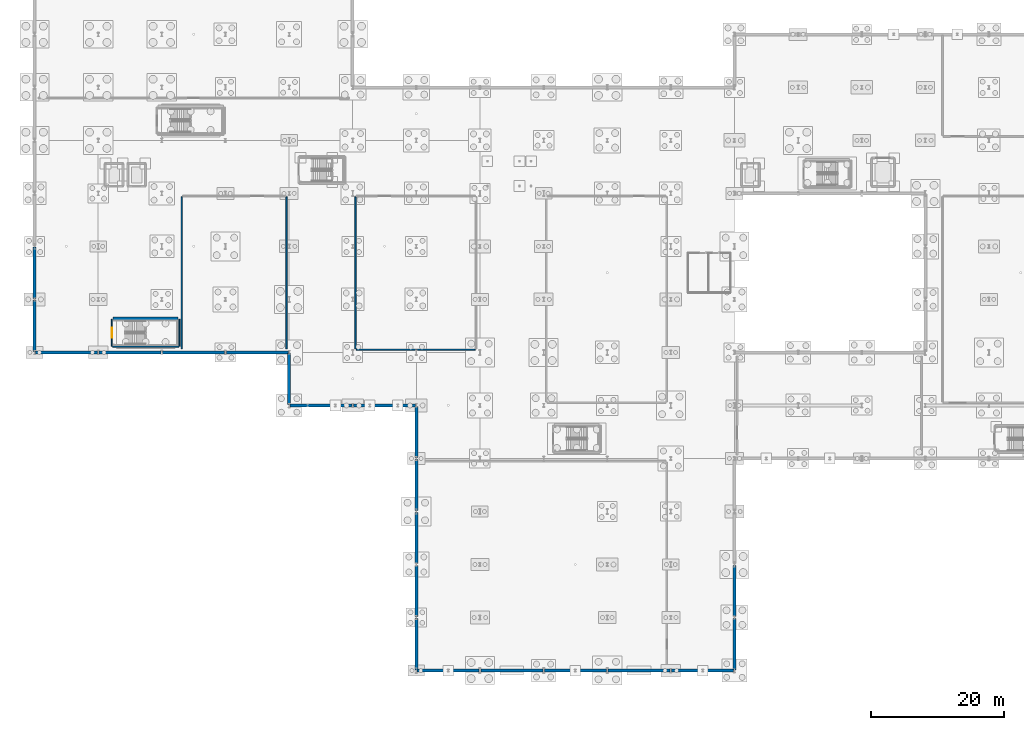
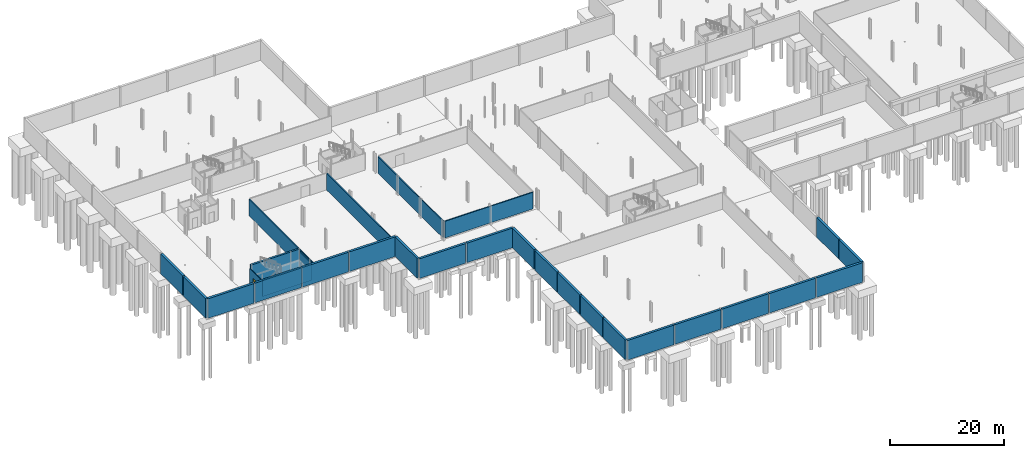
# One storey, part 36 of 47: 29 walls, 1 door, 1 opening.
"""IFC4 building model written with IfcOpenShell, lengths in metres."""

from ifc_helpers import new_model, si_unit, direction, frame, frame_2d, origin, place, context, subcontext, project, spatial, rectangle, extrude, material, layer, layer_set, type_object, element, fill, save


model = new_model("IFC4")

# Units and contexts
model_context = context("Model", 3, precision=1e-05, world=origin(), true_north=direction((0.0, 1.0)))
body_context = subcontext(model_context, "Body", "Model", "MODEL_VIEW")
ifc_project = project(units=[si_unit("LENGTHUNIT", "METRE"), si_unit("AREAUNIT", "SQUARE_METRE"), si_unit("VOLUMEUNIT", "CUBIC_METRE"), si_unit("PLANEANGLEUNIT", "RADIAN"), si_unit("MASSUNIT", "GRAM", prefix="KILO")], contexts=[model_context])

# Site, building, storey
site_placement = place(None, origin())
site = spatial("IfcSite", under=ifc_project, at=site_placement, CompositionType="ELEMENT")
building_placement = place(site_placement, origin())
building = spatial("IfcBuilding", under=site, at=building_placement, Name="Alderhovde Museum", CompositionType="ELEMENT")
storey_placement = place(building_placement, frame((0.0, 0.0, -4.5)))
storey = spatial("IfcBuildingStorey", under=building, at=storey_placement, Name="B1", CompositionType="ELEMENT", Elevation=-4.5)

# Walls
ifc_material_1 = material(Name="Fire-Resisting Masonry Compartment Wall", Category="masonry")
ifc_layer_1 = layer(ifc_material_1, 0.2099609375)
ifc_layer_set_1 = layer_set([ifc_layer_1], Name="Fire-Resisting Masonry Compartment Wall")
wall_type_1 = type_object("IfcWallType", Name="IW-FIRE-210", PredefinedType="SOLIDWALL", material=ifc_layer_set_1)
for number, where, z_axis, x_axis, name in (
    (1, (31.800048828125, 48.5400390625, 0.0), (0.0, 0.0, 1.0), (0.0, 1.0, 0.0), "B1 Collection Archive West Partition Wall W"),
    (2, (47.60009765625, 48.5400390625, 0.0), (0.0, 0.0, 1.0), (0.0, 1.0, 0.0), "B1 Collection Archive West Partition Wall E"),
):
    element("IfcWall", number, at=place(storey_placement, frame(where, z_axis=z_axis, x_axis=x_axis)), inside=storey, type_object=wall_type_1, Name=name, PredefinedType="SOLIDWALL", context=body_context, shape_type="SweptSolid", body=[
        extrude(rectangle(XDim=22.919921875, YDim=0.2099609375, at=frame_2d((11.4599609375, 0.0))), origin(), (0.0, 0.0, 1.0), 3.580078125),
    ])
wall_1_placement = place(storey_placement, frame((58.139892578125, 48.39990234375, 0.0), z_axis=(0.0, 0.0, 1.0), x_axis=(1.0, 0.0, 0.0)))
element("IfcWall", 3, at=wall_1_placement, inside=storey, type_object=wall_type_1, Name="B1 Mineralogy Specimen Vault Partition Wall S", PredefinedType="SOLIDWALL", context=body_context, shape_type="SweptSolid", body=[
    extrude(rectangle(XDim=17.920166015625, YDim=0.2099609375, at=frame_2d((8.9599609375, 0.0))), origin(), (0.0, 0.0, 1.0), 3.580078125),
])
wall_2_placement = place(storey_placement, frame((58.0, 48.5400390625, 0.0), z_axis=(0.0, 0.0, 1.0), x_axis=(0.0, 1.0, 0.0)))
element("IfcWall", 4, at=wall_2_placement, inside=storey, type_object=wall_type_1, Name="B1 Mineralogy Specimen Vault Partition Wall W", PredefinedType="SOLIDWALL", context=body_context, shape_type="SweptSolid", body=[
    extrude(rectangle(XDim=22.919921875, YDim=0.2099609375, at=frame_2d((11.4599609375, 0.0))), origin(), (0.0, 0.0, 1.0), 3.580078125),
])

# Wall, opening, door
ifc_material_2 = material(Name="Fire-Resisting Stair Lobby Wall")
ifc_layer_2 = layer(ifc_material_2, 0.169921875)
ifc_layer_set_2 = layer_set([ifc_layer_2], Name="Fire-Resisting Stair Lobby Wall")
wall_type_2 = type_object("IfcWallType", Name="IW-STAIR-170", PredefinedType="SOLIDWALL", material=ifc_layer_set_2)
wall_3_placement = place(storey_placement, frame((21.260009765625, 48.9599609375, 0.0), z_axis=(0.0, 0.0, 1.0), x_axis=(0.0, 1.0, 0.0)))
wall_3 = element("IfcWall", 5, at=wall_3_placement, inside=storey, type_object=wall_type_2, Name="B1 Escape Stair ST1 Fire Wall W", PredefinedType="SOLIDWALL", context=body_context, shape_type="SweptSolid", body=[
    extrude(rectangle(XDim=4.0400390625, YDim=0.169921875, at=frame_2d((2.02001953125, 0.0))), origin(), (0.0, 0.0, 1.0), 3.580078125),
])
opening_placement = place(wall_3_placement, frame((1.27001953125, 0.0, 0.0)))
opening = element("IfcOpeningElement", 6, at=opening_placement, cuts=wall_3, Name="Opening FD-1", PredefinedType="OPENING", context=body_context, shape_type="SweptSolid", body=[
    extrude(rectangle(XDim=1.5, YDim=2.199951171875, at=frame_2d((0.75, 1.10009765625))), frame((0.0, 0.094970703125, 0.0), z_axis=(0.0, -1.0, 0.0), x_axis=(1.0, 0.0, 0.0)), (0.0, 0.0, 1.0), 0.18994140625),
])
ifc_material_3 = material(Name="Fire-Rated Steel Stair Escape Door (Steel/Oak)", Category="steel")
door_type = type_object("IfcDoorType", Name="FD-STAIR-1500x2200", OperationType="NOTDEFINED", PredefinedType="DOOR", material=ifc_material_3)
door_placement = place(opening_placement, origin())
door = element("IfcDoor", 7, at=door_placement, inside=storey, type_object=door_type, Name="B1 Escape Stair ST1 Fire Door", OperationType="SINGLE_SWING_LEFT", OverallHeight=2.199951171875, OverallWidth=1.5, PredefinedType="DOOR", context=body_context, shape_type="SweptSolid", body=[
    extrude(rectangle(XDim=1.5, YDim=2.199951171875, at=frame_2d((0.75, 1.10009765625))), frame((0.0, 0.02490234375, 0.0), z_axis=(0.0, -1.0, 0.0), x_axis=(1.0, 0.0, 0.0)), (0.0, 0.0, 1.0), 0.050048828125),
])
fill(opening, door)

# Walls
wall_4_placement = place(storey_placement, frame((31.4599609375, 48.9599609375, 0.0), z_axis=(0.0, 0.0, 1.0), x_axis=(0.0, 1.0, 0.0)))
element("IfcWall", 8, at=wall_4_placement, inside=storey, type_object=wall_type_2, Name="B1 Escape Stair ST1 Fire Wall E", PredefinedType="SOLIDWALL", context=body_context, shape_type="SweptSolid", body=[
    extrude(rectangle(XDim=4.0400390625, YDim=0.169921875, at=frame_2d((2.02001953125, 0.0))), origin(), (0.0, 0.0, 1.0), 3.580078125),
])
wall_5_placement = place(storey_placement, frame((21.360107421875, 48.860107421875, 0.0), z_axis=(0.0, 0.0, 1.0), x_axis=(1.0, 0.0, 0.0)))
element("IfcWall", 9, at=wall_5_placement, inside=storey, type_object=wall_type_2, Name="B1 Escape Stair ST1 Fire Wall S", PredefinedType="SOLIDWALL", context=body_context, shape_type="SweptSolid", body=[
    extrude(rectangle(XDim=10.0, YDim=0.169921875, at=frame_2d((5.0, 0.0))), origin(), (0.0, 0.0, 1.0), 3.580078125),
])
ifc_material_4 = material(Name="Concrete C40/50", Category="concrete")
ifc_layer_3 = layer(ifc_material_4, 0.3798828125)
ifc_layer_set_3 = layer_set([ifc_layer_3], Name="Concrete C40/50")
wall_type_3 = type_object("IfcWallType", Name="SW-CORE-380", PredefinedType="SHEAR", material=ifc_layer_set_3)
wall_6_placement = place(storey_placement, frame((21.449951171875, 53.1201171875, 0.0), z_axis=(0.0, 0.0, 1.0), x_axis=(1.0, 0.0, 0.0)))
element("IfcWall", 10, at=wall_6_placement, inside=storey, type_object=wall_type_3, Name="B1 Core Concrete Shear Wall ST1", PredefinedType="SHEAR", context=body_context, shape_type="SweptSolid", body=[
    extrude(rectangle(XDim=9.820068359375, YDim=0.3798828125, at=frame_2d((4.91015625, 0.0))), origin(), (0.0, 0.0, 1.0), 4.219970703125),
])
ifc_material_5 = material(Name="Concrete C40/50", Category="concrete")
ifc_layer_4 = layer(ifc_material_5, 0.449951171875)
ifc_layer_set_4 = layer_set([ifc_layer_4], Name="Concrete C40/50")
wall_type_4 = type_object("IfcWallType", Name="SW-RET-450", PredefinedType="SHEAR", material=ifc_layer_set_4)
for number, where, z_axis, x_axis, name in (
    (11, (9.60009765625, 48.1201171875, 0.0), (0.0, 0.0, 1.0), (0.0, 1.0, 0.0), "B1 Concrete Perimeter Retaining Wall 1"),
    (12, (9.60009765625, 56.1201171875, 0.0), (0.0, 0.0, 1.0), (0.0, 1.0, 0.0), "B1 Concrete Perimeter Retaining Wall 2"),
    (13, (115.199951171875, 0.1201171875, 0.0), (0.0, 0.0, 1.0), (0.0, 1.0, 0.0), "B1 Concrete Perimeter Retaining Wall 44"),
    (14, (115.199951171875, 8.1201171875, 0.0), (0.0, 0.0, 1.0), (0.0, 1.0, 0.0), "B1 Concrete Perimeter Retaining Wall 45"),
):
    element("IfcWall", number, at=place(storey_placement, frame(where, z_axis=z_axis, x_axis=x_axis)), inside=storey, type_object=wall_type_4, Name=name, PredefinedType="SHEAR", context=body_context, shape_type="SweptSolid", body=[
        extrude(rectangle(XDim=7.759765625, YDim=0.449951171875, at=frame_2d((3.8798828125, 0.0))), origin(), (0.0, 0.0, 1.0), 4.219970703125),
    ])
wall_7_placement = place(storey_placement, frame((67.320068359375, 0.0, 0.0), z_axis=(0.0, 0.0, 1.0), x_axis=(1.0, 0.0, 0.0)))
element("IfcWall", 15, at=wall_7_placement, inside=storey, type_object=wall_type_4, Name="B1 Concrete Perimeter Retaining Wall 48", PredefinedType="SHEAR", context=body_context, shape_type="SweptSolid", body=[
    extrude(rectangle(XDim=9.35986328125, YDim=0.449951171875, at=frame_2d((4.679931640625, 0.0))), origin(), (0.0, 0.0, 1.0), 4.219970703125),
])
wall_8_placement = place(storey_placement, frame((76.919921875, 0.0, 0.0), z_axis=(0.0, 0.0, 1.0), x_axis=(1.0, 0.0, 0.0)))
element("IfcWall", 16, at=wall_8_placement, inside=storey, type_object=wall_type_4, Name="B1 Concrete Perimeter Retaining Wall 49", PredefinedType="SHEAR", context=body_context, shape_type="SweptSolid", body=[
    extrude(rectangle(XDim=9.360107421875, YDim=0.449951171875, at=frame_2d((4.68017578125, 0.0))), origin(), (0.0, 0.0, 1.0), 4.219970703125),
])
for number, where, z_axis, x_axis, name in (
    (17, (86.52001953125, 0.0, 0.0), (0.0, 0.0, 1.0), (1.0, 0.0, 0.0), "B1 Concrete Perimeter Retaining Wall 50"),
    (18, (96.1201171875, 0.0, 0.0), (0.0, 0.0, 1.0), (1.0, 0.0, 0.0), "B1 Concrete Perimeter Retaining Wall 51"),
):
    element("IfcWall", number, at=place(storey_placement, frame(where, z_axis=z_axis, x_axis=x_axis)), inside=storey, type_object=wall_type_4, Name=name, PredefinedType="SHEAR", context=body_context, shape_type="SweptSolid", body=[
        extrude(rectangle(XDim=9.35986328125, YDim=0.449951171875, at=frame_2d((4.679931640625, 0.0))), origin(), (0.0, 0.0, 1.0), 4.219970703125),
    ])
wall_9_placement = place(storey_placement, frame((105.719970703125, 0.0, 0.0), z_axis=(0.0, 0.0, 1.0), x_axis=(1.0, 0.0, 0.0)))
element("IfcWall", 19, at=wall_9_placement, inside=storey, type_object=wall_type_4, Name="B1 Concrete Perimeter Retaining Wall 52", PredefinedType="SHEAR", context=body_context, shape_type="SweptSolid", body=[
    extrude(rectangle(XDim=9.360107421875, YDim=0.449951171875, at=frame_2d((4.68017578125, 0.0))), origin(), (0.0, 0.0, 1.0), 4.219970703125),
])
for number, where, z_axis, x_axis, name in (
    (20, (67.199951171875, 0.1201171875, 0.0), (0.0, 0.0, 1.0), (0.0, 1.0, 0.0), "B1 Concrete Perimeter Retaining Wall 53"),
    (21, (67.199951171875, 8.1201171875, 0.0), (0.0, 0.0, 1.0), (0.0, 1.0, 0.0), "B1 Concrete Perimeter Retaining Wall 54"),
    (22, (67.199951171875, 16.1201171875, 0.0), (0.0, 0.0, 1.0), (0.0, 1.0, 0.0), "B1 Concrete Perimeter Retaining Wall 55"),
    (23, (67.199951171875, 24.1201171875, 0.0), (0.0, 0.0, 1.0), (0.0, 1.0, 0.0), "B1 Concrete Perimeter Retaining Wall 56"),
    (24, (67.199951171875, 32.1201171875, 0.0), (0.0, 0.0, 1.0), (0.0, 1.0, 0.0), "B1 Concrete Perimeter Retaining Wall 57"),
):
    element("IfcWall", number, at=place(storey_placement, frame(where, z_axis=z_axis, x_axis=x_axis)), inside=storey, type_object=wall_type_4, Name=name, PredefinedType="SHEAR", context=body_context, shape_type="SweptSolid", body=[
        extrude(rectangle(XDim=7.759765625, YDim=0.449951171875, at=frame_2d((3.8798828125, 0.0))), origin(), (0.0, 0.0, 1.0), 4.219970703125),
    ])
wall_10_placement = place(storey_placement, frame((48.1201171875, 40.0, 0.0), z_axis=(0.0, 0.0, 1.0), x_axis=(1.0, 0.0, 0.0)))
element("IfcWall", 25, at=wall_10_placement, inside=storey, type_object=wall_type_4, Name="B1 Concrete Perimeter Retaining Wall 58", PredefinedType="SHEAR", context=body_context, shape_type="SweptSolid", body=[
    extrude(rectangle(XDim=9.35986328125, YDim=0.449951171875, at=frame_2d((4.679931640625, 0.0))), origin(), (0.0, 0.0, 1.0), 4.219970703125),
])
wall_11_placement = place(storey_placement, frame((57.719970703125, 40.0, 0.0), z_axis=(0.0, 0.0, 1.0), x_axis=(1.0, 0.0, 0.0)))
element("IfcWall", 26, at=wall_11_placement, inside=storey, type_object=wall_type_4, Name="B1 Concrete Perimeter Retaining Wall 59", PredefinedType="SHEAR", context=body_context, shape_type="SweptSolid", body=[
    extrude(rectangle(XDim=9.360107421875, YDim=0.449951171875, at=frame_2d((4.68017578125, 0.0))), origin(), (0.0, 0.0, 1.0), 4.219970703125),
])
wall_12_placement = place(storey_placement, frame((48.0, 40.1201171875, 0.0), z_axis=(0.0, 0.0, 1.0), x_axis=(0.0, 1.0, 0.0)))
element("IfcWall", 27, at=wall_12_placement, inside=storey, type_object=wall_type_4, Name="B1 Concrete Perimeter Retaining Wall 60", PredefinedType="SHEAR", context=body_context, shape_type="SweptSolid", body=[
    extrude(rectangle(XDim=7.759765625, YDim=0.449951171875, at=frame_2d((3.8798828125, 0.0))), origin(), (0.0, 0.0, 1.0), 4.219970703125),
])
wall_13_placement = place(storey_placement, frame((9.719970703125, 48.0, 0.0), z_axis=(0.0, 0.0, 1.0), x_axis=(1.0, 0.0, 0.0)))
element("IfcWall", 28, at=wall_13_placement, inside=storey, type_object=wall_type_4, Name="B1 Concrete Perimeter Retaining Wall 61", PredefinedType="SHEAR", context=body_context, shape_type="SweptSolid", body=[
    extrude(rectangle(XDim=9.360107421875, YDim=0.449951171875, at=frame_2d((4.68017578125, 0.0))), origin(), (0.0, 0.0, 1.0), 4.219970703125),
])
wall_14_placement = place(storey_placement, frame((19.320068359375, 48.0, 0.0), z_axis=(0.0, 0.0, 1.0), x_axis=(1.0, 0.0, 0.0)))
element("IfcWall", 29, at=wall_14_placement, inside=storey, type_object=wall_type_4, Name="B1 Concrete Perimeter Retaining Wall 62", PredefinedType="SHEAR", context=body_context, shape_type="SweptSolid", body=[
    extrude(rectangle(XDim=9.35986328125, YDim=0.449951171875, at=frame_2d((4.679931640625, 0.0))), origin(), (0.0, 0.0, 1.0), 4.219970703125),
])
wall_15_placement = place(storey_placement, frame((28.919921875, 48.0, 0.0), z_axis=(0.0, 0.0, 1.0), x_axis=(1.0, 0.0, 0.0)))
element("IfcWall", 30, at=wall_15_placement, inside=storey, type_object=wall_type_4, Name="B1 Concrete Perimeter Retaining Wall 63", PredefinedType="SHEAR", context=body_context, shape_type="SweptSolid", body=[
    extrude(rectangle(XDim=9.360107421875, YDim=0.449951171875, at=frame_2d((4.68017578125, 0.0))), origin(), (0.0, 0.0, 1.0), 4.219970703125),
])
wall_16_placement = place(storey_placement, frame((38.52001953125, 48.0, 0.0), z_axis=(0.0, 0.0, 1.0), x_axis=(1.0, 0.0, 0.0)))
element("IfcWall", 31, at=wall_16_placement, inside=storey, type_object=wall_type_4, Name="B1 Concrete Perimeter Retaining Wall 64", PredefinedType="SHEAR", context=body_context, shape_type="SweptSolid", body=[
    extrude(rectangle(XDim=9.35986328125, YDim=0.449951171875, at=frame_2d((4.679931640625, 0.0))), origin(), (0.0, 0.0, 1.0), 4.219970703125),
])

save(model, "model.ifc")
